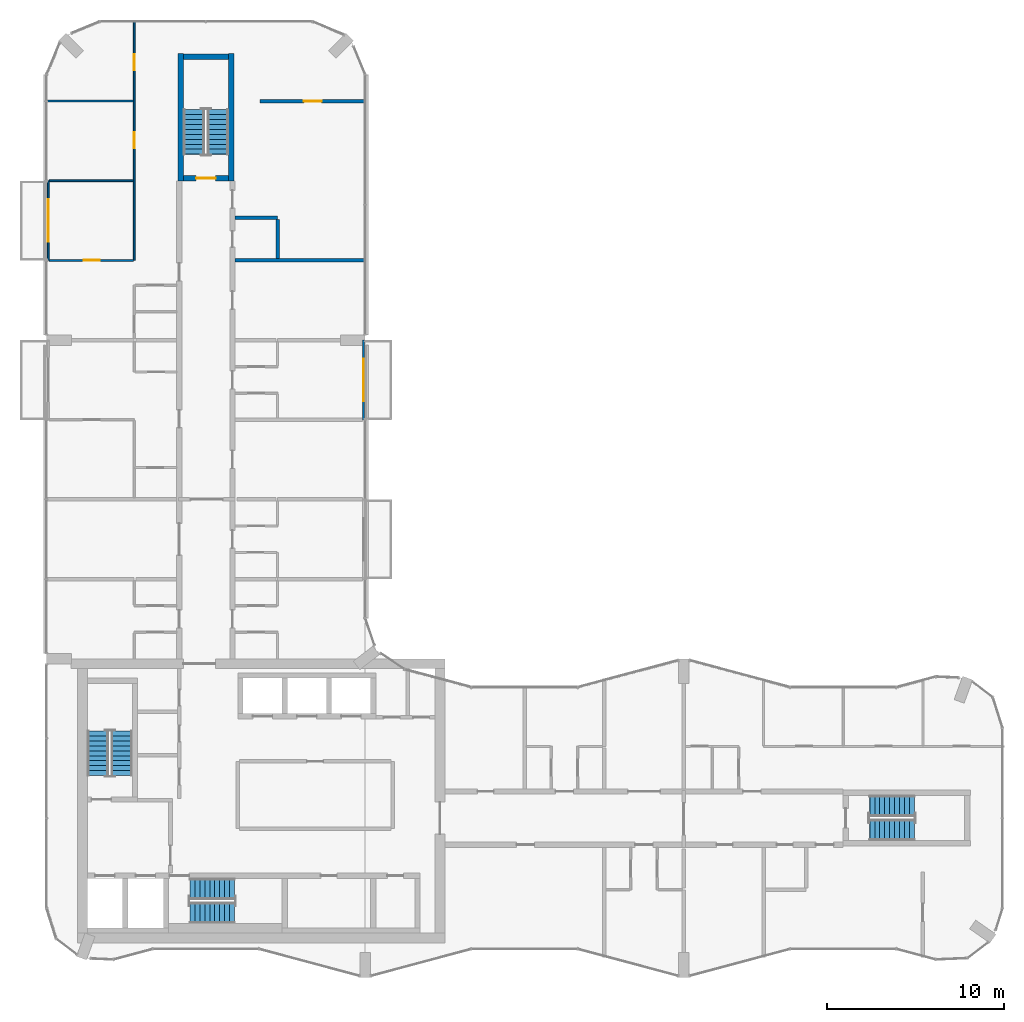
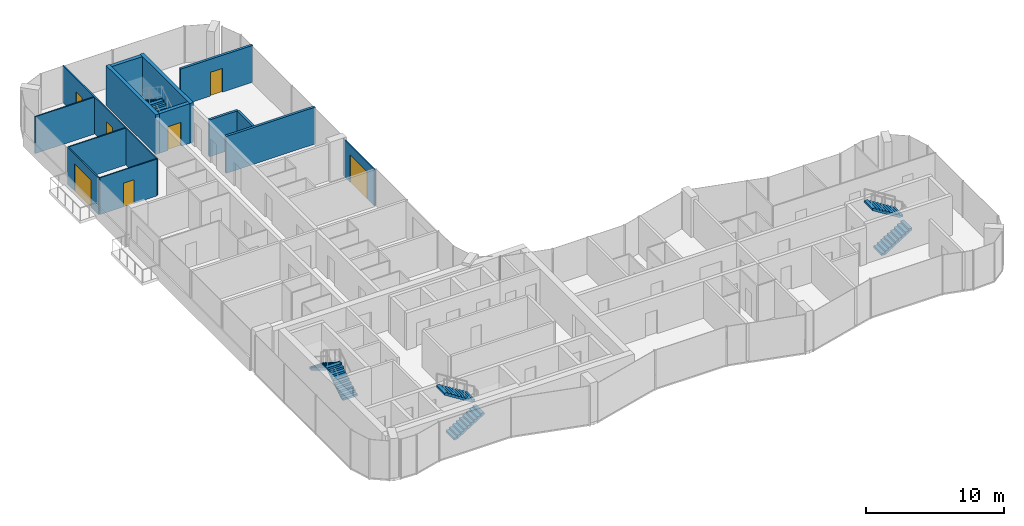
# One storey, part 13 of 15: 14 walls, 8 stair flights, 7 doors, 7 openings, 4 elements without a shape of their own.
"""IFC4 building model written with IfcOpenShell, lengths in metres."""

from ifc_helpers import new_model, si_unit, direction, frame, frame_2d, origin, place, context, subcontext, project, spatial, polyline, rectangle, outline, extrude, material, layer, layer_set, type_object, element, fill, aggregate, save


model = new_model("IFC4")

# Units and contexts
model_context = context("Model", 3, precision=1e-05, world=origin(), true_north=direction((0.0, 1.0)))
body_context = subcontext(model_context, "Body", "Model", "MODEL_VIEW")
ifc_project = project(units=[si_unit("LENGTHUNIT", "METRE"), si_unit("AREAUNIT", "SQUARE_METRE"), si_unit("VOLUMEUNIT", "CUBIC_METRE"), si_unit("PLANEANGLEUNIT", "RADIAN"), si_unit("MASSUNIT", "GRAM", prefix="KILO")], contexts=[model_context])

# Site, building, storey
site_placement = place(None, origin())
site = spatial("IfcSite", under=ifc_project, at=site_placement, CompositionType="ELEMENT")
building_placement = place(site_placement, origin())
building = spatial("IfcBuilding", under=site, at=building_placement, Name="Plateau Cross Towers", CompositionType="ELEMENT")
storey_placement = place(building_placement, frame((0.0, 0.0, 177.89990234375)))
storey = spatial("IfcBuildingStorey", under=building, at=storey_placement, Name="L46", CompositionType="ELEMENT", Elevation=177.89990234375)

# Wall, opening, door
ifc_material_1 = material(Name="Aluminium framed glazing", Category="aluminium")
ifc_layer_1 = layer(ifc_material_1, 0.10009765625)
ifc_layer_set_1 = layer_set([ifc_layer_1], Name="Aluminium framed glazing")
wall_type_1 = type_object("IfcWallType", Name="Balcony screen wall 100", PredefinedType="STANDARD", material=ifc_layer_set_1)
wall_1_placement = place(storey_placement, frame((0.10009765625, 40.5, 0.0), z_axis=(0.0, 0.0, 1.0), x_axis=(0.0, 1.0, 0.0)))
wall_1 = element("IfcWall", 1, at=wall_1_placement, inside=storey, type_object=wall_type_1, Name="Balcony screen wall A-BAL-L46-02", PredefinedType="STANDARD", context=body_context, shape_type="SweptSolid", body=[
    extrude(rectangle(XDim=4.5, YDim=0.10009765625, at=frame_2d((2.25, 0.0))), origin(), (0.0, 0.0, 1.0), 3.25),
])
opening_1_placement = place(wall_1_placement, frame((1.050048828125, 0.0, 0.0)))
opening_1 = element("IfcOpeningElement", 2, at=opening_1_placement, cuts=wall_1, Name="Opening D-B24", PredefinedType="OPENING", context=body_context, shape_type="SweptSolid", body=[
    extrude(rectangle(XDim=2.39990234375, YDim=2.39990234375, at=frame_2d((1.199951171875, 1.199951171875))), frame((0.0, 0.06005859375, 0.0), z_axis=(0.0, -1.0, 0.0), x_axis=(1.0, 0.0, 0.0)), (0.0, 0.0, 1.0), 0.1201171875),
])
ifc_material_2 = material(Name="Aluminium frame, double glazing", Category="aluminium")
door_type_1 = type_object("IfcDoorType", Name="Balcony sliding door 2400", OperationType="NOTDEFINED", PredefinedType="DOOR", material=ifc_material_2)
door_1_placement = place(opening_1_placement, origin())
door_1 = element("IfcDoor", 3, at=door_1_placement, inside=storey, type_object=door_type_1, Name="Balcony door A-BAL-L46-02", OperationType="SINGLE_SWING_LEFT", OverallHeight=2.39990234375, OverallWidth=2.39990234375, PredefinedType="DOOR", context=body_context, shape_type="SweptSolid", body=[
    extrude(rectangle(XDim=2.39990234375, YDim=2.39990234375, at=frame_2d((1.199951171875, 1.199951171875))), frame((0.0, 0.02490234375, 0.0), z_axis=(0.0, -1.0, 0.0), x_axis=(1.0, 0.0, 0.0)), (0.0, 0.0, 1.0), 0.050048828125),
])
fill(opening_1, door_1)

wall_2_placement = place(storey_placement, frame((17.89990234375, 36.0, 0.0), z_axis=(0.0, 0.0, 1.0), x_axis=(0.0, -1.0, 0.0)))
wall_2 = element("IfcWall", 4, at=wall_2_placement, inside=storey, type_object=wall_type_1, Name="Balcony screen wall A-BAL-L46-04", PredefinedType="STANDARD", context=body_context, shape_type="SweptSolid", body=[
    extrude(rectangle(XDim=4.5, YDim=0.10009765625, at=frame_2d((2.25, 0.0))), origin(), (0.0, 0.0, 1.0), 3.25),
])
opening_2_placement = place(wall_2_placement, frame((1.050048828125, 0.0, 0.0)))
opening_2 = element("IfcOpeningElement", 5, at=opening_2_placement, cuts=wall_2, Name="Opening D-B24", PredefinedType="OPENING", context=body_context, shape_type="SweptSolid", body=[
    extrude(rectangle(XDim=2.39990234375, YDim=2.39990234375, at=frame_2d((1.199951171875, 1.199951171875))), frame((0.0, 0.06005859375, 0.0), z_axis=(0.0, -1.0, 0.0), x_axis=(1.0, 0.0, 0.0)), (0.0, 0.0, 1.0), 0.1201171875),
])
door_2_placement = place(opening_2_placement, origin())
door_2 = element("IfcDoor", 6, at=door_2_placement, inside=storey, type_object=door_type_1, Name="Balcony door A-BAL-L46-04", OperationType="SINGLE_SWING_LEFT", OverallHeight=2.39990234375, OverallWidth=2.39990234375, PredefinedType="DOOR", context=body_context, shape_type="SweptSolid", body=[
    extrude(rectangle(XDim=2.39990234375, YDim=2.39990234375, at=frame_2d((1.199951171875, 1.199951171875))), frame((0.0, 0.02490234375, 0.0), z_axis=(0.0, -1.0, 0.0), x_axis=(1.0, 0.0, 0.0)), (0.0, 0.0, 1.0), 0.050048828125),
])
fill(opening_2, door_2)

ifc_material_3 = material(Name="Gypsum board on steel studs", Category="steel")
ifc_layer_2 = layer(ifc_material_3, 0.10009765625)
ifc_layer_set_2 = layer_set([ifc_layer_2], Name="Gypsum board on steel studs")
wall_type_2 = type_object("IfcWallType", Name="Flat partition 100", PredefinedType="PARTITIONING", material=ifc_layer_set_2)
wall_3_placement = place(storey_placement, frame((0.14990234375, 40.5, 0.0), z_axis=(0.0, 0.0, 1.0), x_axis=(1.0, 0.0, 0.0)))
wall_3 = element("IfcWall", 7, at=wall_3_placement, inside=storey, type_object=wall_type_2, Name="Partition wall", PredefinedType="PARTITIONING", context=body_context, shape_type="SweptSolid", body=[
    extrude(rectangle(XDim=4.75, YDim=0.10009765625, at=frame_2d((2.375, 0.0))), origin(), (0.0, 0.0, 1.0), 3.25),
])
opening_3_placement = place(wall_3_placement, frame((1.949951171875, 0.0, 0.0)))
opening_3 = element("IfcOpeningElement", 8, at=opening_3_placement, cuts=wall_3, Name="Opening 46-41", PredefinedType="OPENING", context=body_context, shape_type="SweptSolid", body=[
    extrude(rectangle(XDim=0.89990234375, YDim=2.10009765625, at=frame_2d((0.449951171875, 1.050048828125))), frame((0.0, 0.06005859375, 0.0), z_axis=(0.0, -1.0, 0.0), x_axis=(1.0, 0.0, 0.0)), (0.0, 0.0, 1.0), 0.1201171875),
])
ifc_material_4 = material(Name="Timber leaf", Category="wood")
door_type_2 = type_object("IfcDoorType", Name="Flat room door 900", OperationType="NOTDEFINED", PredefinedType="DOOR", material=ifc_material_4)
door_3_placement = place(opening_3_placement, origin())
door_3 = element("IfcDoor", 9, at=door_3_placement, inside=storey, type_object=door_type_2, Name="Door 46-41", OperationType="SINGLE_SWING_RIGHT", OverallHeight=2.10009765625, OverallWidth=0.89990234375, PredefinedType="DOOR", context=body_context, shape_type="SweptSolid", body=[
    extrude(rectangle(XDim=0.89990234375, YDim=2.10009765625, at=frame_2d((0.449951171875, 1.050048828125))), frame((0.0, 0.02490234375, 0.0), z_axis=(0.0, -1.0, 0.0), x_axis=(1.0, 0.0, 0.0)), (0.0, 0.0, 1.0), 0.050048828125),
])
fill(opening_3, door_3)

# Walls
wall_4_placement = place(storey_placement, frame((4.89990234375, 45.0, 0.0), z_axis=(0.0, 0.0, 1.0), x_axis=(-1.0, 0.0, 0.0)))
element("IfcWall", 10, at=wall_4_placement, inside=storey, type_object=wall_type_2, Name="Partition wall", PredefinedType="PARTITIONING", context=body_context, shape_type="SweptSolid", body=[
    extrude(rectangle(XDim=4.75, YDim=0.10009765625, at=frame_2d((2.375, 0.0))), origin(), (0.0, 0.0, 1.0), 3.25),
])
wall_5_placement = place(storey_placement, frame((4.89990234375, 49.5, 0.0), z_axis=(0.0, 0.0, 1.0), x_axis=(-1.0, 0.0, 0.0)))
element("IfcWall", 11, at=wall_5_placement, inside=storey, type_object=wall_type_2, Name="Partition wall", PredefinedType="PARTITIONING", context=body_context, shape_type="SweptSolid", body=[
    extrude(rectangle(XDim=4.97998046875, YDim=0.10009765625, at=frame_2d((2.489990234375, 0.0))), origin(), (0.0, 0.0, 1.0), 3.25),
])

# Wall, openings, doors
wall_6_placement = place(storey_placement, frame((4.949951171875, 40.5, 0.0), z_axis=(0.0, 0.0, 1.0), x_axis=(0.0, 1.0, 0.0)))
wall_6 = element("IfcWall", 12, at=wall_6_placement, inside=storey, type_object=wall_type_2, Name="Partition wall", PredefinedType="PARTITIONING", context=body_context, shape_type="SweptSolid", body=[
    extrude(rectangle(XDim=13.580078125, YDim=0.10009765625, at=frame_2d((6.7900390625, 0.0))), origin(), (0.0, 0.0, 1.0), 3.25),
])
opening_4_placement = place(wall_6_placement, frame((6.35009765625, 0.0, 0.0)))
opening_4 = element("IfcOpeningElement", 13, at=opening_4_placement, cuts=wall_6, Name="Opening 46-42", PredefinedType="OPENING", context=body_context, shape_type="SweptSolid", body=[
    extrude(rectangle(XDim=0.89990234375, YDim=2.10009765625, at=frame_2d((0.449951171875, 1.050048828125))), frame((0.0, 0.06005859375, 0.0), z_axis=(0.0, -1.0, 0.0), x_axis=(1.0, 0.0, 0.0)), (0.0, 0.0, 1.0), 0.1201171875),
])
opening_5_placement = place(wall_6_placement, frame((10.75, 0.0, 0.0)))
opening_5 = element("IfcOpeningElement", 14, at=opening_5_placement, cuts=wall_6, Name="Opening 46-43", PredefinedType="OPENING", context=body_context, shape_type="SweptSolid", body=[
    extrude(rectangle(XDim=0.89990234375, YDim=2.10009765625, at=frame_2d((0.449951171875, 1.050048828125))), frame((0.0, 0.06005859375, 0.0), z_axis=(0.0, -1.0, 0.0), x_axis=(1.0, 0.0, 0.0)), (0.0, 0.0, 1.0), 0.1201171875),
])
door_4_placement = place(opening_4_placement, origin())
door_4 = element("IfcDoor", 15, at=door_4_placement, inside=storey, type_object=door_type_2, Name="Door 46-42", OperationType="SINGLE_SWING_RIGHT", OverallHeight=2.10009765625, OverallWidth=0.89990234375, PredefinedType="DOOR", context=body_context, shape_type="SweptSolid", body=[
    extrude(rectangle(XDim=0.89990234375, YDim=2.10009765625, at=frame_2d((0.449951171875, 1.050048828125))), frame((0.0, 0.02490234375, 0.0), z_axis=(0.0, -1.0, 0.0), x_axis=(1.0, 0.0, 0.0)), (0.0, 0.0, 1.0), 0.050048828125),
])
fill(opening_4, door_4)
door_5_placement = place(opening_5_placement, origin())
door_5 = element("IfcDoor", 16, at=door_5_placement, inside=storey, type_object=door_type_2, Name="Door 46-43", OperationType="SINGLE_SWING_RIGHT", OverallHeight=2.10009765625, OverallWidth=0.89990234375, PredefinedType="DOOR", context=body_context, shape_type="SweptSolid", body=[
    extrude(rectangle(XDim=0.89990234375, YDim=2.10009765625, at=frame_2d((0.449951171875, 1.050048828125))), frame((0.0, 0.02490234375, 0.0), z_axis=(0.0, -1.0, 0.0), x_axis=(1.0, 0.0, 0.0)), (0.0, 0.0, 1.0), 0.050048828125),
])
fill(opening_5, door_5)

# Walls
ifc_material_5 = material(Name="Gypsum board on steel studs, two layers each side", Category="steel")
ifc_layer_3 = layer(ifc_material_5, 0.199951171875)
ifc_layer_set_3 = layer_set([ifc_layer_3], Name="Gypsum board on steel studs, two layers each side")
wall_type_3 = type_object("IfcWallType", Name="Flat party wall 200", PredefinedType="PARTITIONING", material=ifc_layer_set_3)
wall_7_placement = place(storey_placement, frame((18.080078125, 40.5, 0.0), z_axis=(0.0, 0.0, 1.0), x_axis=(-1.0, 0.0, 0.0)))
element("IfcWall", 17, at=wall_7_placement, inside=storey, type_object=wall_type_3, Name="Party wall", PredefinedType="PARTITIONING", context=body_context, shape_type="SweptSolid", body=[
    extrude(rectangle(XDim=7.43017578125, YDim=0.199951171875, at=frame_2d((3.715087890625, 0.0))), origin(), (0.0, 0.0, 1.0), 3.25),
])
wall_8_placement = place(storey_placement, frame((13.050048828125, 42.89990234375, 0.0), z_axis=(0.0, 0.0, 1.0), x_axis=(-1.0, 0.0, 0.0)))
element("IfcWall", 18, at=wall_8_placement, inside=storey, type_object=wall_type_3, Name="Party wall", PredefinedType="PARTITIONING", context=body_context, shape_type="SweptSolid", body=[
    extrude(rectangle(XDim=2.400146484375, YDim=0.199951171875, at=frame_2d((1.2001953125, 0.0))), origin(), (0.0, 0.0, 1.0), 3.25),
])

# Wall, opening, door
wall_9_placement = place(storey_placement, frame((18.080078125, 49.5, 0.0), z_axis=(0.0, 0.0, 1.0), x_axis=(-1.0, 0.0, 0.0)))
wall_9 = element("IfcWall", 19, at=wall_9_placement, inside=storey, type_object=wall_type_3, Name="Party wall", PredefinedType="PARTITIONING", context=body_context, shape_type="SweptSolid", body=[
    extrude(rectangle(XDim=6.030029296875, YDim=0.199951171875, at=frame_2d((3.01513671875, 0.0))), origin(), (0.0, 0.0, 1.0), 3.25),
])
opening_6_placement = place(wall_9_placement, frame((2.550048828125, 0.0, 0.0)))
opening_6 = element("IfcOpeningElement", 20, at=opening_6_placement, cuts=wall_9, Name="Opening 46-24", PredefinedType="OPENING", context=body_context, shape_type="SweptSolid", body=[
    extrude(rectangle(XDim=1.0, YDim=2.10009765625, at=frame_2d((0.5, 1.050048828125))), frame((0.0, 0.10986328125, 0.0), z_axis=(0.0, -1.0, 0.0), x_axis=(1.0, 0.0, 0.0)), (0.0, 0.0, 1.0), 0.219970703125),
])
ifc_material_6 = material(Name="Timber, fire-resisting leaf", Category="wood")
door_type_3 = type_object("IfcDoorType", Name="Flat entrance door 1000", OperationType="NOTDEFINED", PredefinedType="DOOR", material=ifc_material_6)
door_6_placement = place(opening_6_placement, origin())
door_6 = element("IfcDoor", 21, at=door_6_placement, inside=storey, type_object=door_type_3, Name="Door 46-24", OperationType="SINGLE_SWING_RIGHT", OverallHeight=2.10009765625, OverallWidth=1.0, PredefinedType="DOOR", context=body_context, shape_type="SweptSolid", body=[
    extrude(rectangle(XDim=1.0, YDim=2.10009765625, at=frame_2d((0.5, 1.050048828125))), frame((0.0, 0.02490234375, 0.0), z_axis=(0.0, -1.0, 0.0), x_axis=(1.0, 0.0, 0.0)), (0.0, 0.0, 1.0), 0.050048828125),
])
fill(opening_6, door_6)

# Wall
wall_10_placement = place(storey_placement, frame((13.050048828125, 40.60009765625, 0.0), z_axis=(0.0, 0.0, 1.0), x_axis=(0.0, 1.0, 0.0)))
element("IfcWall", 22, at=wall_10_placement, inside=storey, type_object=wall_type_3, Name="Party wall", PredefinedType="PARTITIONING", context=body_context, shape_type="SweptSolid", body=[
    extrude(rectangle(XDim=2.199951171875, YDim=0.199951171875, at=frame_2d((1.10009765625, 0.0))), origin(), (0.0, 0.0, 1.0), 3.25),
])

# Wall, opening, door
ifc_material_7 = material(Name="Concrete C60/75", Category="concrete")
ifc_layer_4 = layer(ifc_material_7, 0.300048828125)
ifc_layer_set_4 = layer_set([ifc_layer_4], Name="Concrete C60/75")
wall_type_4 = type_object("IfcWallType", Name="Stair tower wall 300", PredefinedType="SHEAR", material=ifc_layer_set_4)
wall_11_placement = place(storey_placement, frame((7.72509765625, 45.14990234375, 0.0), z_axis=(0.0, 0.0, 1.0), x_axis=(1.0, 0.0, 0.0)))
wall_11 = element("IfcWall", 23, at=wall_11_placement, inside=storey, type_object=wall_type_4, Name="A-end-N-S@L46", PredefinedType="SHEAR", context=body_context, shape_type="SweptSolid", body=[
    extrude(rectangle(XDim=2.5498046875, YDim=0.300048828125, at=frame_2d((1.27490234375, 0.0))), origin(), (0.0, 0.0, 1.0), 3.5),
])
opening_7_placement = place(wall_11_placement, frame((0.72509765625, 0.0, 0.0)))
opening_7 = element("IfcOpeningElement", 24, at=opening_7_placement, cuts=wall_11, Name="Opening SD", PredefinedType="OPENING", context=body_context, shape_type="SweptSolid", body=[
    extrude(rectangle(XDim=1.10009765625, YDim=2.10009765625, at=frame_2d((0.550048828125, 1.050048828125))), frame((0.0, 0.159912109375, 0.0), z_axis=(0.0, -1.0, 0.0), x_axis=(1.0, 0.0, 0.0)), (0.0, 0.0, 1.0), 0.320068359375),
])
ifc_material_8 = material(Name="Steel, fire-resisting leaf", Category="steel")
door_type_4 = type_object("IfcDoorType", Name="Stair door 1100", OperationType="NOTDEFINED", PredefinedType="DOOR", material=ifc_material_8)
door_7_placement = place(opening_7_placement, origin())
door_7 = element("IfcDoor", 25, at=door_7_placement, inside=storey, type_object=door_type_4, Name="Stair door SD", OperationType="SINGLE_SWING_LEFT", OverallHeight=2.10009765625, OverallWidth=1.10009765625, PredefinedType="DOOR", context=body_context, shape_type="SweptSolid", body=[
    extrude(rectangle(XDim=1.10009765625, YDim=2.10009765625, at=frame_2d((0.550048828125, 1.050048828125))), frame((0.0, 0.02490234375, 0.0), z_axis=(0.0, -1.0, 0.0), x_axis=(1.0, 0.0, 0.0)), (0.0, 0.0, 1.0), 0.050048828125),
])
fill(opening_7, door_7)

# Walls
wall_12_placement = place(storey_placement, frame((7.72509765625, 52.0, 0.0), z_axis=(0.0, 0.0, 1.0), x_axis=(1.0, 0.0, 0.0)))
element("IfcWall", 26, at=wall_12_placement, inside=storey, type_object=wall_type_4, Name="A-end-N-N@L46", PredefinedType="SHEAR", context=body_context, shape_type="SweptSolid", body=[
    extrude(rectangle(XDim=2.5498046875, YDim=0.300048828125, at=frame_2d((1.27490234375, 0.0))), origin(), (0.0, 0.0, 1.0), 3.5),
])
for number, where, z_axis, x_axis, name in (
    (27, (7.574951171875, 45.0, 0.0), (0.0, 0.0, 1.0), (0.0, 1.0, 0.0), "A-end-N-W@L46"),
    (28, (10.425048828125, 45.0, 0.0), (0.0, 0.0, 1.0), (0.0, 1.0, 0.0), "A-end-N-E@L46"),
):
    element("IfcWall", number, at=place(storey_placement, frame(where, z_axis=z_axis, x_axis=x_axis)), inside=storey, type_object=wall_type_4, Name=name, PredefinedType="SHEAR", context=body_context, shape_type="SweptSolid", body=[
        extrude(rectangle(XDim=7.199951171875, YDim=0.300048828125, at=frame_2d((3.60009765625, 0.0))), origin(), (0.0, 0.0, 1.0), 3.5),
    ])

# Stair, stair flights
ifc_material_9 = material(Name="Concrete C40/50", Category="concrete")
stair_type = type_object("IfcStairType", Name="ST-TWR", PredefinedType="HALF_TURN_STAIR", material=ifc_material_9)
stair_1_placement = place(storey_placement, origin())
stair_1 = element("IfcStair", 29, at=stair_1_placement, inside=storey, type_object=stair_type, Name="L46 Protected Exit Stair ST-1", PredefinedType="HALF_TURN_STAIR")
stair_flight_type = type_object("IfcStairFlightType", Name="SFL-RC", PredefinedType="STRAIGHT", material=ifc_material_9)
stair_flight_1_placement = place(storey_placement, frame((4.25, 11.39990234375, 0.0), z_axis=(0.0, 0.0, 1.0), x_axis=(0.0, 1.0, 0.0)))
stair_flight_1 = element("IfcStairFlight", 30, at=stair_flight_1_placement, type_object=stair_flight_type, Name="ST-1 flight 1", NumberOfRisers=10, NumberOfTreads=9, PredefinedType="STRAIGHT", RiserHeight=0.175, TreadLength=0.28, context=body_context, shape_type="SweptSolid", body=[
    extrude(outline(polyline([(-0.0048828125, -0.010009765625), (-0.0048828125, 0.0), (0.0, 0.0), (0.0, 0.175048828125), (0.280029296875, 0.175048828125), (0.280029296875, 0.35009765625), (0.56005859375, 0.35009765625), (0.56005859375, 0.52490234375), (0.840087890625, 0.52490234375), (0.840087890625, 0.699951171875), (1.1201171875, 0.699951171875), (1.1201171875, 0.875), (1.39990234375, 0.875), (1.39990234375, 1.050048828125), (1.679931640625, 1.050048828125), (1.679931640625, 1.22509765625), (1.9599609375, 1.22509765625), (1.9599609375, 1.39990234375), (2.239990234375, 1.39990234375), (2.239990234375, 1.574951171875), (2.52001953125, 1.574951171875), (2.52490234375, 1.56494140625), (2.52490234375, 1.398193359375), (2.52001953125, 1.398193359375), (0.28271484375, 0.0), (0.02001953125, 0.0), (0.02001953125, -0.010009765625), (-0.0048828125, -0.010009765625)])), frame((0.0, 0.60009765625, 0.0), z_axis=(0.0, -1.0, 0.0), x_axis=(1.0, 0.0, 0.0)), (0.0, 0.0, 1.0), 1.199951171875),
])
stair_flight_2_placement = place(storey_placement, frame((2.89990234375, 13.919921875, 1.75), z_axis=(0.0, 0.0, 1.0), x_axis=(0.0, -1.0, 0.0)))
stair_flight_2 = element("IfcStairFlight", 31, at=stair_flight_2_placement, type_object=stair_flight_type, Name="ST-1 flight 2", NumberOfRisers=10, NumberOfTreads=9, PredefinedType="STRAIGHT", RiserHeight=0.175, TreadLength=0.28, context=body_context, shape_type="SweptSolid", body=[
    extrude(outline(polyline([(-0.0048828125, -0.010009765625), (-0.0048828125, 0.0), (0.0, 0.0), (0.0, 0.175048828125), (0.280029296875, 0.175048828125), (0.280029296875, 0.35009765625), (0.56005859375, 0.35009765625), (0.56005859375, 0.52490234375), (0.840087890625, 0.52490234375), (0.840087890625, 0.699951171875), (1.1201171875, 0.699951171875), (1.1201171875, 0.875), (1.39990234375, 0.875), (1.39990234375, 1.050048828125), (1.679931640625, 1.050048828125), (1.679931640625, 1.22509765625), (1.9599609375, 1.22509765625), (1.9599609375, 1.39990234375), (2.239990234375, 1.39990234375), (2.239990234375, 1.574951171875), (2.52001953125, 1.574951171875), (2.52490234375, 1.56494140625), (2.52490234375, 1.398193359375), (2.52001953125, 1.398193359375), (0.28271484375, 0.0), (0.02001953125, 0.0), (0.02001953125, -0.010009765625), (-0.0048828125, -0.010009765625)])), frame((0.0, 0.60009765625, 0.0), z_axis=(0.0, -1.0, 0.0), x_axis=(1.0, 0.0, 0.0)), (0.0, 0.0, 1.0), 1.199951171875),
])
aggregate(stair_1, [stair_flight_1, stair_flight_2])

stair_2_placement = place(storey_placement, origin())
stair_2 = element("IfcStair", 32, at=stair_2_placement, inside=storey, type_object=stair_type, Name="L46 Protected Exit Stair ST-2", PredefinedType="HALF_TURN_STAIR")
stair_flight_3_placement = place(storey_placement, frame((8.10009765625, 3.64990234375, 0.0), z_axis=(0.0, 0.0, 1.0), x_axis=(1.0, 0.0, 0.0)))
stair_flight_3 = element("IfcStairFlight", 33, at=stair_flight_3_placement, type_object=stair_flight_type, Name="ST-2 flight 1", NumberOfRisers=10, NumberOfTreads=9, PredefinedType="STRAIGHT", RiserHeight=0.175, TreadLength=0.28, context=body_context, shape_type="SweptSolid", body=[
    extrude(outline(polyline([(-0.0048828125, -0.010009765625), (-0.0048828125, 0.0), (0.0, 0.0), (0.0, 0.175048828125), (0.280029296875, 0.175048828125), (0.280029296875, 0.35009765625), (0.56005859375, 0.35009765625), (0.56005859375, 0.52490234375), (0.840087890625, 0.52490234375), (0.840087890625, 0.699951171875), (1.1201171875, 0.699951171875), (1.1201171875, 0.875), (1.39990234375, 0.875), (1.39990234375, 1.050048828125), (1.679931640625, 1.050048828125), (1.679931640625, 1.22509765625), (1.9599609375, 1.22509765625), (1.9599609375, 1.39990234375), (2.239990234375, 1.39990234375), (2.239990234375, 1.574951171875), (2.52001953125, 1.574951171875), (2.52490234375, 1.56494140625), (2.52490234375, 1.398193359375), (2.52001953125, 1.398193359375), (0.28271484375, 0.0), (0.02001953125, 0.0), (0.02001953125, -0.010009765625), (-0.0048828125, -0.010009765625)])), frame((0.0, 0.60009765625, 0.0), z_axis=(0.0, -1.0, 0.0), x_axis=(1.0, 0.0, 0.0)), (0.0, 0.0, 1.0), 1.199951171875),
])
stair_flight_4_placement = place(storey_placement, frame((10.6201171875, 5.0, 1.75), z_axis=(0.0, 0.0, 1.0), x_axis=(-1.0, 0.0, 0.0)))
stair_flight_4 = element("IfcStairFlight", 34, at=stair_flight_4_placement, type_object=stair_flight_type, Name="ST-2 flight 2", NumberOfRisers=10, NumberOfTreads=9, PredefinedType="STRAIGHT", RiserHeight=0.175, TreadLength=0.28, context=body_context, shape_type="SweptSolid", body=[
    extrude(outline(polyline([(-0.0048828125, -0.010009765625), (-0.0048828125, 0.0), (0.0, 0.0), (0.0, 0.175048828125), (0.280029296875, 0.175048828125), (0.280029296875, 0.35009765625), (0.56005859375, 0.35009765625), (0.56005859375, 0.52490234375), (0.840087890625, 0.52490234375), (0.840087890625, 0.699951171875), (1.1201171875, 0.699951171875), (1.1201171875, 0.875), (1.39990234375, 0.875), (1.39990234375, 1.050048828125), (1.679931640625, 1.050048828125), (1.679931640625, 1.22509765625), (1.9599609375, 1.22509765625), (1.9599609375, 1.39990234375), (2.239990234375, 1.39990234375), (2.239990234375, 1.574951171875), (2.52001953125, 1.574951171875), (2.52490234375, 1.56494140625), (2.52490234375, 1.398193359375), (2.52001953125, 1.398193359375), (0.28271484375, 0.0), (0.02001953125, 0.0), (0.02001953125, -0.010009765625), (-0.0048828125, -0.010009765625)])), frame((0.0, 0.60009765625, 0.0), z_axis=(0.0, -1.0, 0.0), x_axis=(1.0, 0.0, 0.0)), (0.0, 0.0, 1.0), 1.199951171875),
])
aggregate(stair_2, [stair_flight_3, stair_flight_4])

stair_3_placement = place(storey_placement, origin())
stair_3 = element("IfcStair", 35, at=stair_3_placement, inside=storey, type_object=stair_type, Name="L46 Protected Exit Stair E", PredefinedType="HALF_TURN_STAIR")
stair_flight_5_placement = place(storey_placement, frame((46.5, 8.324951171875, 0.0), z_axis=(0.0, 0.0, 1.0), x_axis=(1.0, 0.0, 0.0)))
stair_flight_5 = element("IfcStairFlight", 36, at=stair_flight_5_placement, type_object=stair_flight_type, Name="ES-E flight 1", NumberOfRisers=10, NumberOfTreads=9, PredefinedType="STRAIGHT", RiserHeight=0.175, TreadLength=0.28, context=body_context, shape_type="SweptSolid", body=[
    extrude(outline(polyline([(-0.0048828125, -0.010009765625), (-0.0048828125, 0.0), (0.0, 0.0), (0.0, 0.175048828125), (0.280029296875, 0.175048828125), (0.280029296875, 0.35009765625), (0.56005859375, 0.35009765625), (0.56005859375, 0.52490234375), (0.840087890625, 0.52490234375), (0.840087890625, 0.699951171875), (1.1201171875, 0.699951171875), (1.1201171875, 0.875), (1.39990234375, 0.875), (1.39990234375, 1.050048828125), (1.679931640625, 1.050048828125), (1.679931640625, 1.22509765625), (1.9599609375, 1.22509765625), (1.9599609375, 1.39990234375), (2.239990234375, 1.39990234375), (2.239990234375, 1.574951171875), (2.52001953125, 1.574951171875), (2.52490234375, 1.56494140625), (2.52490234375, 1.398193359375), (2.52001953125, 1.398193359375), (0.28271484375, 0.0), (0.02001953125, 0.0), (0.02001953125, -0.010009765625), (-0.0048828125, -0.010009765625)])), frame((0.0, 0.60009765625, 0.0), z_axis=(0.0, -1.0, 0.0), x_axis=(1.0, 0.0, 0.0)), (0.0, 0.0, 1.0), 1.199951171875),
])
stair_flight_6_placement = place(storey_placement, frame((49.02001953125, 9.675048828125, 1.75), z_axis=(0.0, 0.0, 1.0), x_axis=(-1.0, 0.0, 0.0)))
stair_flight_6 = element("IfcStairFlight", 37, at=stair_flight_6_placement, type_object=stair_flight_type, Name="ES-E flight 2", NumberOfRisers=10, NumberOfTreads=9, PredefinedType="STRAIGHT", RiserHeight=0.175, TreadLength=0.28, context=body_context, shape_type="SweptSolid", body=[
    extrude(outline(polyline([(-0.0048828125, -0.010009765625), (-0.0048828125, 0.0), (0.0, 0.0), (0.0, 0.175048828125), (0.280029296875, 0.175048828125), (0.280029296875, 0.35009765625), (0.56005859375, 0.35009765625), (0.56005859375, 0.52490234375), (0.840087890625, 0.52490234375), (0.840087890625, 0.699951171875), (1.1201171875, 0.699951171875), (1.1201171875, 0.875), (1.39990234375, 0.875), (1.39990234375, 1.050048828125), (1.679931640625, 1.050048828125), (1.679931640625, 1.22509765625), (1.9599609375, 1.22509765625), (1.9599609375, 1.39990234375), (2.239990234375, 1.39990234375), (2.239990234375, 1.574951171875), (2.52001953125, 1.574951171875), (2.52490234375, 1.56494140625), (2.52490234375, 1.398193359375), (2.52001953125, 1.398193359375), (0.28271484375, 0.0), (0.02001953125, 0.0), (0.02001953125, -0.010009765625), (-0.0048828125, -0.010009765625)])), frame((0.0, 0.60009765625, 0.0), z_axis=(0.0, -1.0, 0.0), x_axis=(1.0, 0.0, 0.0)), (0.0, 0.0, 1.0), 1.199951171875),
])
aggregate(stair_3, [stair_flight_5, stair_flight_6])

stair_4_placement = place(storey_placement, origin())
stair_4 = element("IfcStair", 38, at=stair_4_placement, inside=storey, type_object=stair_type, Name="L46 Protected Exit Stair N", PredefinedType="HALF_TURN_STAIR")
stair_flight_7_placement = place(storey_placement, frame((9.675048828125, 46.5, 0.0), z_axis=(0.0, 0.0, 1.0), x_axis=(0.0, 1.0, 0.0)))
stair_flight_7 = element("IfcStairFlight", 39, at=stair_flight_7_placement, type_object=stair_flight_type, Name="ES-N flight 1", NumberOfRisers=10, NumberOfTreads=9, PredefinedType="STRAIGHT", RiserHeight=0.175, TreadLength=0.28, context=body_context, shape_type="SweptSolid", body=[
    extrude(outline(polyline([(-0.0048828125, -0.010009765625), (-0.0048828125, 0.0), (0.0, 0.0), (0.0, 0.175048828125), (0.280029296875, 0.175048828125), (0.280029296875, 0.35009765625), (0.56005859375, 0.35009765625), (0.56005859375, 0.52490234375), (0.840087890625, 0.52490234375), (0.840087890625, 0.699951171875), (1.1201171875, 0.699951171875), (1.1201171875, 0.875), (1.39990234375, 0.875), (1.39990234375, 1.050048828125), (1.679931640625, 1.050048828125), (1.679931640625, 1.22509765625), (1.9599609375, 1.22509765625), (1.9599609375, 1.39990234375), (2.239990234375, 1.39990234375), (2.239990234375, 1.574951171875), (2.52001953125, 1.574951171875), (2.52490234375, 1.56494140625), (2.52490234375, 1.398193359375), (2.52001953125, 1.398193359375), (0.28271484375, 0.0), (0.02001953125, 0.0), (0.02001953125, -0.010009765625), (-0.0048828125, -0.010009765625)])), frame((0.0, 0.60009765625, 0.0), z_axis=(0.0, -1.0, 0.0), x_axis=(1.0, 0.0, 0.0)), (0.0, 0.0, 1.0), 1.199951171875),
])
stair_flight_8_placement = place(storey_placement, frame((8.324951171875, 49.02001953125, 1.75), z_axis=(0.0, 0.0, 1.0), x_axis=(0.0, -1.0, 0.0)))
stair_flight_8 = element("IfcStairFlight", 40, at=stair_flight_8_placement, type_object=stair_flight_type, Name="ES-N flight 2", NumberOfRisers=10, NumberOfTreads=9, PredefinedType="STRAIGHT", RiserHeight=0.175, TreadLength=0.28, context=body_context, shape_type="SweptSolid", body=[
    extrude(outline(polyline([(-0.0048828125, -0.010009765625), (-0.0048828125, 0.0), (0.0, 0.0), (0.0, 0.175048828125), (0.280029296875, 0.175048828125), (0.280029296875, 0.35009765625), (0.56005859375, 0.35009765625), (0.56005859375, 0.52490234375), (0.840087890625, 0.52490234375), (0.840087890625, 0.699951171875), (1.1201171875, 0.699951171875), (1.1201171875, 0.875), (1.39990234375, 0.875), (1.39990234375, 1.050048828125), (1.679931640625, 1.050048828125), (1.679931640625, 1.22509765625), (1.9599609375, 1.22509765625), (1.9599609375, 1.39990234375), (2.239990234375, 1.39990234375), (2.239990234375, 1.574951171875), (2.52001953125, 1.574951171875), (2.52490234375, 1.56494140625), (2.52490234375, 1.398193359375), (2.52001953125, 1.398193359375), (0.28271484375, 0.0), (0.02001953125, 0.0), (0.02001953125, -0.010009765625), (-0.0048828125, -0.010009765625)])), frame((0.0, 0.60009765625, 0.0), z_axis=(0.0, -1.0, 0.0), x_axis=(1.0, 0.0, 0.0)), (0.0, 0.0, 1.0), 1.199951171875),
])
aggregate(stair_4, [stair_flight_7, stair_flight_8])

save(model, "model.ifc")
